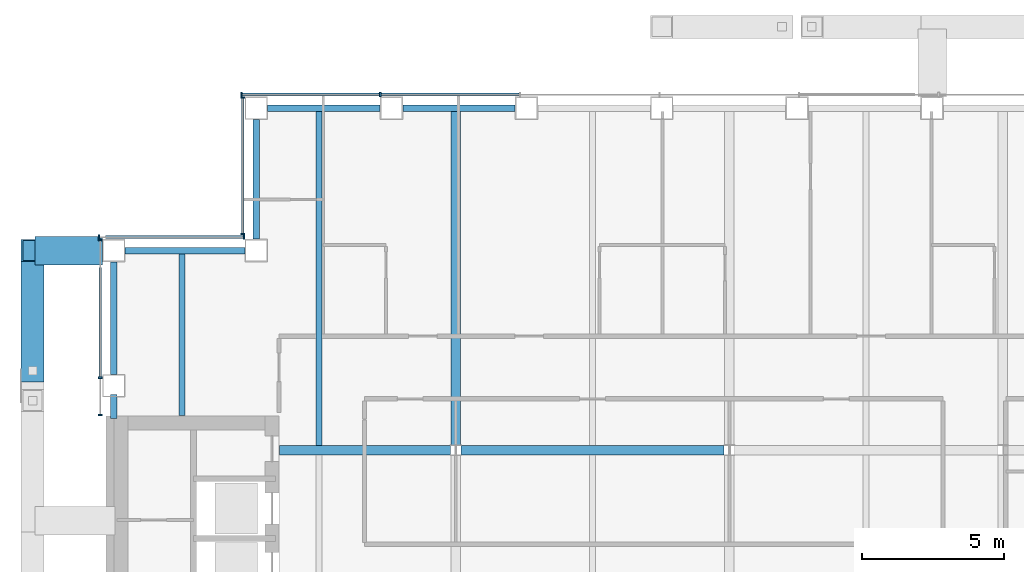
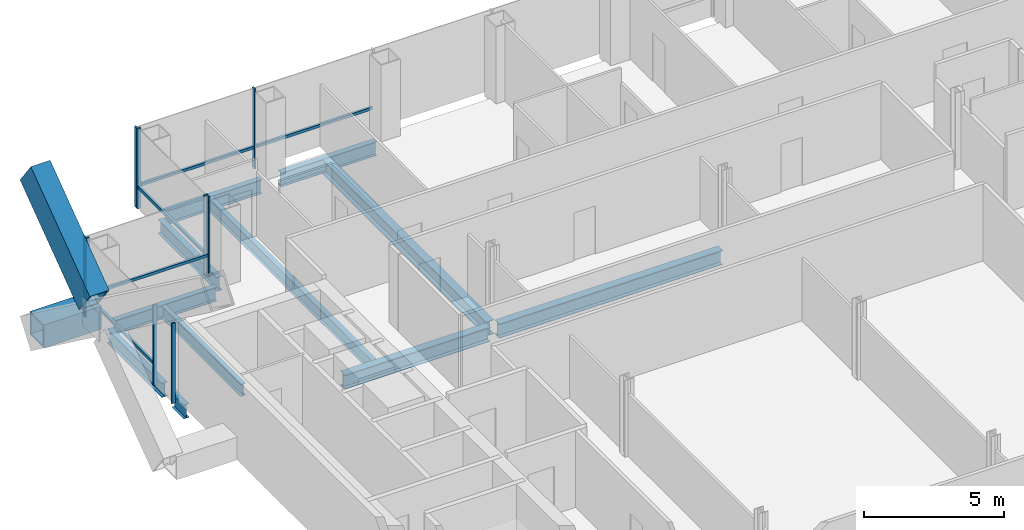
# One storey, part 7 of 16: 15 members, 12 beams, 4 elements without a shape of their own.
"""IFC4 building model written with IfcOpenShell, lengths in metres."""

from ifc_helpers import new_model, si_unit, direction, frame, origin, origin_2d, place, context, subcontext, project, spatial, rectangle, hollow_rectangle, i_section, extrude, material, material_profile, profile_set, type_object, element, aggregate, save


model = new_model("IFC4")

# Units and contexts
model_context = context("Model", 3, precision=1e-05, world=origin(), true_north=direction((0.0, 1.0)))
body_context = subcontext(model_context, "Body", "Model", "MODEL_VIEW")
ifc_project = project(units=[si_unit("LENGTHUNIT", "METRE"), si_unit("AREAUNIT", "SQUARE_METRE"), si_unit("VOLUMEUNIT", "CUBIC_METRE"), si_unit("PLANEANGLEUNIT", "RADIAN"), si_unit("MASSUNIT", "GRAM", prefix="KILO")], contexts=[model_context])

# Site, building, storey
site_placement = place(None, origin())
site = spatial("IfcSite", under=ifc_project, at=site_placement, CompositionType="ELEMENT")
building_placement = place(site_placement, origin())
building = spatial("IfcBuilding", under=site, at=building_placement, Name="Cobrizo Arcos Hotel Tower", CompositionType="ELEMENT")
storey_placement = place(building_placement, frame((0.0, 0.0, 172.5)))
storey = spatial("IfcBuildingStorey", under=building, at=storey_placement, Name="L44", CompositionType="ELEMENT", Elevation=172.5)

# Beam
ifc_material_1 = material(Name="Steel ASTM A572 Grade 50", Category="steel")
ifc_material_profile_1 = material_profile(ifc_material_1, hollow_rectangle(XDim=1.0, YDim=1.0, WallThickness=0.06005859375, at=origin_2d()), Name="BOX 1000X1000X60")
ifc_profile_set_1 = profile_set([ifc_material_profile_1], Name="Steel ASTM A572 Grade 50")
beam_type_1 = type_object("IfcBeamType", Name="BOX 1000X1000X60 brace connector strut", PredefinedType="BEAM", material=ifc_profile_set_1)
beam_1_placement = place(storey_placement, frame((-21.989990234375, 16.60009765625, 0.5), z_axis=(-1.0, 0.0, 0.0), x_axis=(0.0, -1.0, 0.0)))
element("IfcBeam", 1, at=beam_1_placement, inside=storey, type_object=beam_type_1, Name="Perimeter brace stub BS1, zone Z3, west face, offset +16.60 m, L44", PredefinedType="BEAM", context=body_context, shape_type="SweptSolid", body=[
    extrude(hollow_rectangle(XDim=1.0, YDim=1.0, WallThickness=0.06005859375, at=origin_2d()), origin(), (0.0, 0.0, 1.0), 2.380126953125),
])

# Member
ifc_material_profile_2 = material_profile(ifc_material_1, hollow_rectangle(XDim=0.800048828125, YDim=1.300048828125, WallThickness=0.06005859375, at=origin_2d()), Name="BOX 800X1300X60")
ifc_profile_set_2 = profile_set([ifc_material_profile_2], Name="Steel ASTM A572 Grade 50")
member_type_1 = type_object("IfcMemberType", Name="BOX 800X1300X60 perimeter brace", PredefinedType="BRACE", material=ifc_profile_set_2)
member_1_placement = place(storey_placement, frame((-24.449951171875, 12.38037109375, 4.385986328125), z_axis=(0.0, 0.804623858684, 0.593784848271), x_axis=(-1.0, 0.0, 0.0)))
element("IfcMember", 2, at=member_1_placement, inside=storey, type_object=member_type_1, Name="Perimeter brace PBR3, zone Z3, west face, no. 15b", PredefinedType="BRACE", context=body_context, shape_type="SweptSolid", body=[
    extrude(hollow_rectangle(XDim=0.800048828125, YDim=1.300048828125, WallThickness=0.06005859375, at=origin_2d()), origin(), (0.0, 0.0, 1.0), 5.244384765625),
])

# Curtain wall, members
ifc_material_2 = material(Name="Aluminium 6063-T6 anodised bronze", Category="aluminium")
curtain_wall_type = type_object("IfcCurtainWallType", Name="CW-A guest facade", PredefinedType="NOTDEFINED", material=ifc_material_2)
curtain_wall_1_placement = place(storey_placement, origin())
curtain_wall_1 = element("IfcCurtainWall", 3, at=curtain_wall_1_placement, inside=storey, type_object=curtain_wall_type, Name="CW-A L44 N face", PredefinedType="NOTDEFINED")
ifc_material_profile_3 = material_profile(ifc_material_2, rectangle(XDim=0.14990234375, YDim=0.06005859375, at=origin_2d()), Name="CW-A mullion 150x60")
ifc_profile_set_3 = profile_set([ifc_material_profile_3], Name="Aluminium 6063-T6 anodised bronze")
member_type_2 = type_object("IfcMemberType", Name="CW-A mullion 150x60", PredefinedType="MULLION", material=ifc_profile_set_3)
member_2_placement = place(storey_placement, frame((-12.25, 22.074951171875, 0.0), z_axis=(0.0, 0.0, 1.0), x_axis=(0.0, 1.0, 0.0)))
member_2 = element("IfcMember", 4, at=member_2_placement, type_object=member_type_2, Name="CW-A mullion 7", PredefinedType="MULLION", context=body_context, shape_type="SweptSolid", body=[
    extrude(rectangle(XDim=0.14990234375, YDim=0.06005859375, at=origin_2d()), origin(), (0.0, 0.0, 1.0), 3.5),
])
member_3_placement = place(storey_placement, frame((-17.1201171875, 22.074951171875, 0.0), z_axis=(0.0, 0.0, 1.0), x_axis=(0.0, 1.0, 0.0)))
member_3 = element("IfcMember", 5, at=member_3_placement, type_object=member_type_2, Name="CW-A mullion 8", PredefinedType="MULLION", context=body_context, shape_type="SweptSolid", body=[
    extrude(rectangle(XDim=0.14990234375, YDim=0.06005859375, at=origin_2d()), origin(), (0.0, 0.0, 1.0), 3.5),
])

curtain_wall_2_placement = place(storey_placement, origin())
curtain_wall_2 = element("IfcCurtainWall", 6, at=curtain_wall_2_placement, inside=storey, type_object=curtain_wall_type, Name="CW-A L44 W face", PredefinedType="NOTDEFINED")
member_4_placement = place(storey_placement, frame((-17.074951171875, 21.969970703125, 0.0), z_axis=(0.0, 0.0, 1.0), x_axis=(-1.0, 0.0, 0.0)))
member_4 = element("IfcMember", 7, at=member_4_placement, type_object=member_type_2, Name="CW-A mullion 1", PredefinedType="MULLION", context=body_context, shape_type="SweptSolid", body=[
    extrude(rectangle(XDim=0.14990234375, YDim=0.06005859375, at=origin_2d()), origin(), (0.0, 0.0, 1.0), 3.5),
])
member_5_placement = place(storey_placement, frame((-17.074951171875, 17.179931640625, 0.0), z_axis=(0.0, 0.0, 1.0), x_axis=(-1.0, 0.0, 0.0)))
member_5 = element("IfcMember", 8, at=member_5_placement, type_object=member_type_2, Name="CW-A mullion 2", PredefinedType="MULLION", context=body_context, shape_type="SweptSolid", body=[
    extrude(rectangle(XDim=0.14990234375, YDim=0.06005859375, at=origin_2d()), origin(), (0.0, 0.0, 1.0), 3.5),
])

curtain_wall_3_placement = place(storey_placement, origin())
curtain_wall_3 = element("IfcCurtainWall", 9, at=curtain_wall_3_placement, inside=storey, type_object=curtain_wall_type, Name="CW-A L44 N face", PredefinedType="NOTDEFINED")
member_6_placement = place(storey_placement, frame((-17.030029296875, 17.074951171875, 0.0), z_axis=(0.0, 0.0, 1.0), x_axis=(0.0, 1.0, 0.0)))
member_6 = element("IfcMember", 10, at=member_6_placement, type_object=member_type_2, Name="CW-A mullion 1", PredefinedType="MULLION", context=body_context, shape_type="SweptSolid", body=[
    extrude(rectangle(XDim=0.14990234375, YDim=0.06005859375, at=origin_2d()), origin(), (0.0, 0.0, 1.0), 3.5),
])
member_7_placement = place(storey_placement, frame((-22.1201171875, 17.074951171875, 0.0), z_axis=(0.0, 0.0, 1.0), x_axis=(0.0, 1.0, 0.0)))
member_7 = element("IfcMember", 11, at=member_7_placement, type_object=member_type_2, Name="CW-A mullion 2", PredefinedType="MULLION", context=body_context, shape_type="SweptSolid", body=[
    extrude(rectangle(XDim=0.14990234375, YDim=0.06005859375, at=origin_2d()), origin(), (0.0, 0.0, 1.0), 3.5),
])

curtain_wall_4_placement = place(storey_placement, origin())
curtain_wall_4 = element("IfcCurtainWall", 12, at=curtain_wall_4_placement, inside=storey, type_object=curtain_wall_type, Name="CW-A L44 W face", PredefinedType="NOTDEFINED")
member_8_placement = place(storey_placement, frame((-22.074951171875, 16.969970703125, 0.0), z_axis=(0.0, 0.0, 1.0), x_axis=(-1.0, 0.0, 0.0)))
member_8 = element("IfcMember", 13, at=member_8_placement, type_object=member_type_2, Name="CW-A mullion 1", PredefinedType="MULLION", context=body_context, shape_type="SweptSolid", body=[
    extrude(rectangle(XDim=0.14990234375, YDim=0.06005859375, at=origin_2d()), origin(), (0.0, 0.0, 1.0), 3.5),
])
member_9_placement = place(storey_placement, frame((-22.074951171875, 12.142822265625, 0.0), z_axis=(0.0, 0.0, 1.0), x_axis=(-1.0, 0.0, 0.0)))
member_9 = element("IfcMember", 14, at=member_9_placement, type_object=member_type_2, Name="CW-A mullion 2", PredefinedType="MULLION", context=body_context, shape_type="SweptSolid", body=[
    extrude(rectangle(XDim=0.14990234375, YDim=0.06005859375, at=origin_2d()), origin(), (0.0, 0.0, 1.0), 3.5),
])
member_10_placement = place(storey_placement, frame((-22.074951171875, 10.830078125, 0.0), z_axis=(0.0, 0.0, 1.0), x_axis=(-1.0, 0.0, 0.0)))
member_10 = element("IfcMember", 15, at=member_10_placement, type_object=member_type_2, Name="CW-A mullion 3", PredefinedType="MULLION", context=body_context, shape_type="SweptSolid", body=[
    extrude(rectangle(XDim=0.14990234375, YDim=0.06005859375, at=origin_2d()), origin(), (0.0, 0.0, 1.0), 3.5),
])

# Member
ifc_material_profile_4 = material_profile(ifc_material_2, rectangle(XDim=0.10009765625, YDim=0.1201171875, at=origin_2d()), Name="CW-A transom 120x100")
ifc_profile_set_4 = profile_set([ifc_material_profile_4], Name="Aluminium 6063-T6 anodised bronze")
member_type_3 = type_object("IfcMemberType", Name="CW-A transom 120x100", PredefinedType="USERDEFINED", material=ifc_profile_set_4)
member_11_placement = place(storey_placement, frame((-7.3798828125, 22.074951171875, 0.929931640625), z_axis=(-1.0, 0.0, 0.0), x_axis=(0.0, -1.0, 0.0)))
member_11 = element("IfcMember", 16, at=member_11_placement, type_object=member_type_3, Name="CW-A transom 1566", ObjectType="TRANSOM", PredefinedType="USERDEFINED", context=body_context, shape_type="SweptSolid", body=[
    extrude(rectangle(XDim=0.10009765625, YDim=0.1201171875, at=origin_2d()), origin(), (0.0, 0.0, 1.0), 4.840087890625),
])

member_12_placement = place(storey_placement, frame((-12.280029296875, 22.074951171875, 0.929931640625), z_axis=(-1.0, 0.0, 0.0), x_axis=(0.0, -1.0, 0.0)))
member_12 = element("IfcMember", 17, at=member_12_placement, type_object=member_type_3, Name="CW-A transom 1567", ObjectType="TRANSOM", PredefinedType="USERDEFINED", context=body_context, shape_type="SweptSolid", body=[
    extrude(rectangle(XDim=0.10009765625, YDim=0.1201171875, at=origin_2d()), origin(), (0.0, 0.0, 1.0), 4.81005859375),
])

aggregate(curtain_wall_1, [member_2, member_3, member_11, member_12])

member_13_placement = place(storey_placement, frame((-17.074951171875, 21.93994140625, 0.929931640625), z_axis=(0.0, -1.0, 0.0), x_axis=(1.0, 0.0, 0.0)))
member_13 = element("IfcMember", 18, at=member_13_placement, type_object=member_type_3, Name="CW-A transom 1568", ObjectType="TRANSOM", PredefinedType="USERDEFINED", context=body_context, shape_type="SweptSolid", body=[
    extrude(rectangle(XDim=0.10009765625, YDim=0.1201171875, at=origin_2d()), origin(), (0.0, 0.0, 1.0), 4.72998046875),
])

aggregate(curtain_wall_2, [member_4, member_5, member_13])

member_14_placement = place(storey_placement, frame((-17.06005859375, 17.074951171875, 0.929931640625), z_axis=(-1.0, 0.0, 0.0), x_axis=(0.0, -1.0, 0.0)))
member_14 = element("IfcMember", 19, at=member_14_placement, type_object=member_type_3, Name="CW-A transom 1569", ObjectType="TRANSOM", PredefinedType="USERDEFINED", context=body_context, shape_type="SweptSolid", body=[
    extrude(rectangle(XDim=0.10009765625, YDim=0.1201171875, at=origin_2d()), origin(), (0.0, 0.0, 1.0), 4.829833984375),
])

aggregate(curtain_wall_3, [member_6, member_7, member_14])

member_15_placement = place(storey_placement, frame((-22.074951171875, 16.0, 0.929931640625), z_axis=(0.0, -1.0, 0.0), x_axis=(1.0, 0.0, 0.0)))
member_15 = element("IfcMember", 20, at=member_15_placement, type_object=member_type_3, Name="CW-A transom 1570", ObjectType="TRANSOM", PredefinedType="USERDEFINED", context=body_context, shape_type="SweptSolid", body=[
    extrude(rectangle(XDim=0.10009765625, YDim=0.1201171875, at=origin_2d()), origin(), (0.0, 0.0, 1.0), 3.8271484375),
])

aggregate(curtain_wall_4, [member_8, member_9, member_10, member_15])

# Beams
ifc_material_3 = material(Name="Steel ASTM A992 Grade 50", Category="steel")
ifc_material_profile_5 = material_profile(ifc_material_3, i_section(OverallWidth=0.209228515625, OverallDepth=0.533447265625, WebThickness=0.01025390625, FlangeThickness=0.015625, at=origin_2d()), Name="W21X62")
ifc_profile_set_5 = profile_set([ifc_material_profile_5], Name="Steel ASTM A992 Grade 50")
beam_type_2 = type_object("IfcBeamType", Name="W21X62 joist", PredefinedType="JOIST", material=ifc_profile_set_5)
beam_2_placement = place(storey_placement, frame((-19.199951171875, 10.81005859375, -0.416748046875), z_axis=(0.0, 1.0, 0.0), x_axis=(-1.0, 0.0, 0.0)))
element("IfcBeam", 21, at=beam_2_placement, inside=storey, type_object=beam_type_2, Name="Floor joist J1, L44, no. 002", PredefinedType="JOIST", context=body_context, shape_type="SweptSolid", body=[
    extrude(i_section(OverallWidth=0.209228515625, OverallDepth=0.533447265625, WebThickness=0.01025390625, FlangeThickness=0.015625, at=origin_2d()), origin(), (0.0, 0.0, 1.0), 5.699951171875),
])
beam_3_placement = place(storey_placement, frame((-14.39990234375, 9.763916015625, -0.416748046875), z_axis=(0.0, 1.0, 0.0), x_axis=(-1.0, 0.0, 0.0)))
element("IfcBeam", 22, at=beam_3_placement, inside=storey, type_object=beam_type_2, Name="Floor joist J1, L44, no. 006", PredefinedType="JOIST", context=body_context, shape_type="SweptSolid", body=[
    extrude(i_section(OverallWidth=0.209228515625, OverallDepth=0.533447265625, WebThickness=0.01025390625, FlangeThickness=0.015625, at=origin_2d()), origin(), (0.0, 0.0, 1.0), 11.74609375),
])
ifc_material_profile_6 = material_profile(ifc_material_3, i_section(OverallWidth=0.32763671875, OverallDepth=0.622314453125, WebThickness=0.015380859375, FlangeThickness=0.0244140625, at=origin_2d()), Name="W24X131")
ifc_profile_set_6 = profile_set([ifc_material_profile_6], Name="Steel ASTM A992 Grade 50")
beam_type_3 = type_object("IfcBeamType", Name="W24X131 girder", PredefinedType="BEAM", material=ifc_profile_set_6)
beam_4_placement = place(storey_placement, frame((-15.7900390625, 9.60009765625, -0.461181640625), z_axis=(1.0, 0.0, 0.0), x_axis=(0.0, 1.0, 0.0)))
element("IfcBeam", 23, at=beam_4_placement, inside=storey, type_object=beam_type_3, Name="Floor girder G1, L44, no. 009", PredefinedType="BEAM", context=body_context, shape_type="SweptSolid", body=[
    extrude(i_section(OverallWidth=0.32763671875, OverallDepth=0.622314453125, WebThickness=0.015380859375, FlangeThickness=0.0244140625, at=origin_2d()), origin(), (0.0, 0.0, 1.0), 6.00341796875),
])
beam_5_placement = place(storey_placement, frame((-9.413330078125, 9.60009765625, -0.461181640625), z_axis=(1.0, 0.0, 0.0), x_axis=(0.0, 1.0, 0.0)))
element("IfcBeam", 24, at=beam_5_placement, inside=storey, type_object=beam_type_3, Name="Floor girder G1, L44, no. 010", PredefinedType="BEAM", context=body_context, shape_type="SweptSolid", body=[
    extrude(i_section(OverallWidth=0.32763671875, OverallDepth=0.622314453125, WebThickness=0.015380859375, FlangeThickness=0.0244140625, at=origin_2d()), origin(), (0.0, 0.0, 1.0), 9.2265625),
])
beam_6_placement = place(storey_placement, frame((-9.60009765625, 9.78662109375, -0.461181640625), z_axis=(0.0, 1.0, 0.0), x_axis=(-1.0, 0.0, 0.0)))
element("IfcBeam", 25, at=beam_6_placement, inside=storey, type_object=beam_type_3, Name="Floor girder G1, L44, no. 016", PredefinedType="BEAM", context=body_context, shape_type="SweptSolid", body=[
    extrude(i_section(OverallWidth=0.32763671875, OverallDepth=0.622314453125, WebThickness=0.015380859375, FlangeThickness=0.0244140625, at=origin_2d()), origin(), (0.0, 0.0, 1.0), 11.723388671875),
])
ifc_material_profile_7 = material_profile(ifc_material_3, i_section(OverallWidth=0.228271484375, OverallDepth=0.607177734375, WebThickness=0.01123046875, FlangeThickness=0.017333984375, at=origin_2d()), Name="W24X76")
ifc_profile_set_7 = profile_set([ifc_material_profile_7], Name="Steel ASTM A992 Grade 50")
beam_type_4 = type_object("IfcBeamType", Name="W24X76 spandrel", PredefinedType="SPANDREL", material=ifc_profile_set_7)
beam_7_placement = place(storey_placement, frame((-7.513916015625, 21.60009765625, -0.45361328125), z_axis=(-1.0, 0.0, 0.0), x_axis=(0.0, -1.0, 0.0)))
element("IfcBeam", 26, at=beam_7_placement, inside=storey, type_object=beam_type_4, Name="Spandrel beam W24X76, L44, no. 021", PredefinedType="SPANDREL", context=body_context, shape_type="SweptSolid", body=[
    extrude(i_section(OverallWidth=0.228271484375, OverallDepth=0.607177734375, WebThickness=0.01123046875, FlangeThickness=0.017333984375, at=origin_2d()), origin(), (0.0, 0.0, 1.0), 3.943115234375),
])
beam_8_placement = place(storey_placement, frame((-12.257080078125, 21.60009765625, -0.45361328125), z_axis=(-1.0, 0.0, 0.0), x_axis=(0.0, -1.0, 0.0)))
element("IfcBeam", 27, at=beam_8_placement, inside=storey, type_object=beam_type_4, Name="Spandrel beam W24X76, L44, no. 022", PredefinedType="SPANDREL", context=body_context, shape_type="SweptSolid", body=[
    extrude(i_section(OverallWidth=0.228271484375, OverallDepth=0.607177734375, WebThickness=0.01123046875, FlangeThickness=0.017333984375, at=origin_2d()), origin(), (0.0, 0.0, 1.0), 3.94287109375),
])
for number, where, z_axis, x_axis, name in (
    (28, (-16.60009765625, 21.199951171875, -0.45361328125), (0.0, -1.0, 0.0), (1.0, 0.0, 0.0), "Spandrel beam W24X76, L44, no. 023"),
    (29, (-17.0, 16.60009765625, -0.45361328125), (-1.0, 0.0, 0.0), (0.0, -1.0, 0.0), "Spandrel beam W24X76, L44, no. 024"),
):
    element("IfcBeam", number, at=place(storey_placement, frame(where, z_axis=z_axis, x_axis=x_axis)), inside=storey, type_object=beam_type_4, Name=name, PredefinedType="SPANDREL", context=body_context, shape_type="SweptSolid", body=[
        extrude(i_section(OverallWidth=0.228271484375, OverallDepth=0.607177734375, WebThickness=0.01123046875, FlangeThickness=0.017333984375, at=origin_2d()), origin(), (0.0, 0.0, 1.0), 4.199951171875),
    ])
beam_9_placement = place(storey_placement, frame((-21.60009765625, 16.199951171875, -0.45361328125), z_axis=(0.0, -1.0, 0.0), x_axis=(1.0, 0.0, 0.0)))
element("IfcBeam", 30, at=beam_9_placement, inside=storey, type_object=beam_type_4, Name="Spandrel beam W24X76, L44, no. 025", PredefinedType="SPANDREL", context=body_context, shape_type="SweptSolid", body=[
    extrude(i_section(OverallWidth=0.228271484375, OverallDepth=0.607177734375, WebThickness=0.01123046875, FlangeThickness=0.017333984375, at=origin_2d()), origin(), (0.0, 0.0, 1.0), 3.94287109375),
])
beam_10_placement = place(storey_placement, frame((-21.60009765625, 11.556884765625, -0.45361328125), z_axis=(0.0, -1.0, 0.0), x_axis=(1.0, 0.0, 0.0)))
element("IfcBeam", 31, at=beam_10_placement, inside=storey, type_object=beam_type_4, Name="Spandrel beam W24X76, L44, no. 026", PredefinedType="SPANDREL", context=body_context, shape_type="SweptSolid", body=[
    extrude(i_section(OverallWidth=0.228271484375, OverallDepth=0.607177734375, WebThickness=0.01123046875, FlangeThickness=0.017333984375, at=origin_2d()), origin(), (0.0, 0.0, 1.0), 0.846923828125),
])

save(model, "model.ifc")
